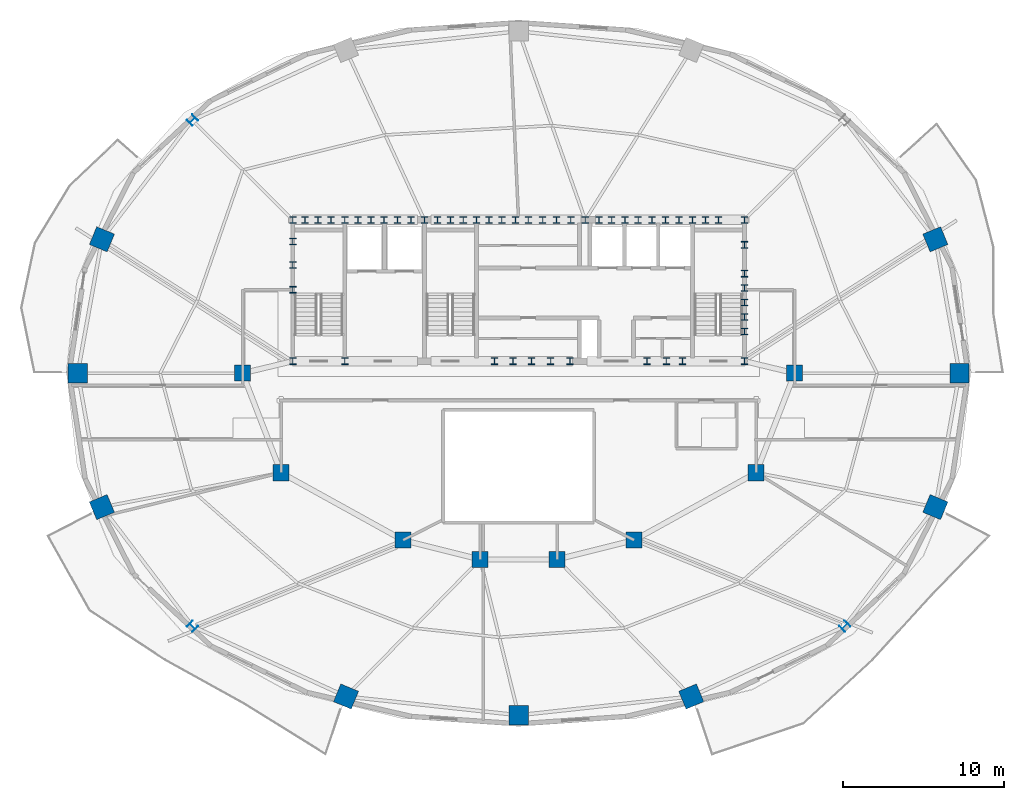
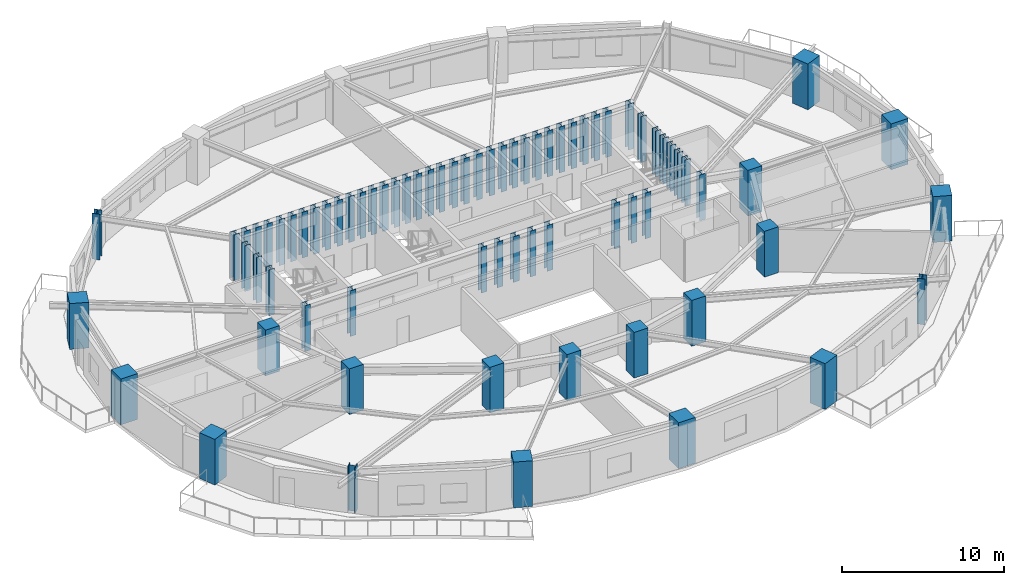
# One storey, part 1 of 11: 74 columns.
"""IFC4 building model written with IfcOpenShell, lengths in metres."""

from ifc_helpers import new_model, si_unit, direction, frame, origin, origin_2d, place, context, subcontext, project, spatial, rectangle, i_section, extrude, material, material_profile, profile_set, type_object, element, save


model = new_model("IFC4")

# Units and contexts
model_context = context("Model", 3, precision=1e-05, world=origin(), true_north=direction((0.0, 1.0)))
body_context = subcontext(model_context, "Body", "Model", "MODEL_VIEW")
ifc_project = project(units=[si_unit("LENGTHUNIT", "METRE"), si_unit("AREAUNIT", "SQUARE_METRE"), si_unit("VOLUMEUNIT", "CUBIC_METRE"), si_unit("PLANEANGLEUNIT", "RADIAN"), si_unit("MASSUNIT", "GRAM", prefix="KILO")], contexts=[model_context])

# Site, building, storey
site_placement = place(None, origin())
site = spatial("IfcSite", under=ifc_project, at=site_placement, CompositionType="ELEMENT")
building_placement = place(site_placement, origin())
building = spatial("IfcBuilding", under=site, at=building_placement, Name="Haldorwick Loom Tower", CompositionType="ELEMENT")
storey_placement = place(building_placement, frame((0.0, 0.0, 215.199951171875)))
storey = spatial("IfcBuildingStorey", under=building, at=storey_placement, Name="L58", CompositionType="ELEMENT", Elevation=215.199951171875)

# Columns
ifc_material_1 = material(Name="Concrete C60 (60 MPa)", Category="concrete")
ifc_material_profile_1 = material_profile(ifc_material_1, rectangle(XDim=1.0, YDim=1.0, at=origin_2d()), Name="RC1000X1000", Category="concrete")
ifc_profile_set_1 = profile_set([ifc_material_profile_1], Name="Concrete C60 (60 MPa)")
column_type_1 = type_object("IfcColumnType", Name="STR-COL-RC1000", PredefinedType="COLUMN", material=ifc_profile_set_1)
for number, where, z_axis, x_axis, name in (
    (1, (53.199951171875, 26.0, 0.0), (0.0, 0.0, 1.0), (1.0, 0.0, 0.0), "L58 Inner Column IC-01"),
    (2, (50.800048828125, 19.800048828125, 0.0), (0.0, 0.0, 1.0), (1.0, 0.0, 0.0), "L58 Inner Column IC-02"),
    (3, (43.199951171875, 15.60009765625, 0.0), (0.0, 0.0, 1.0), (1.0, 0.0, 0.0), "L58 Inner Column IC-03"),
    (4, (38.39990234375, 14.39990234375, 0.0), (0.0, 0.0, 1.0), (1.0, 0.0, 0.0), "L58 Inner Column IC-04"),
    (5, (33.60009765625, 14.39990234375, 0.0), (0.0, 0.0, 1.0), (1.0, 0.0, 0.0), "L58 Inner Column IC-05"),
    (6, (28.800048828125, 15.60009765625, 0.0), (0.0, 0.0, 1.0), (1.0, 0.0, 0.0), "L58 Inner Column IC-06"),
    (7, (21.199951171875, 19.800048828125, 0.0), (0.0, 0.0, 1.0), (1.0, 0.0, 0.0), "L58 Inner Column IC-07"),
    (8, (18.800048828125, 26.0, 0.0), (0.0, 0.0, 1.0), (1.0, 0.0, 0.0), "L58 Inner Column IC-08"),
):
    element("IfcColumn", number, at=place(storey_placement, frame(where, z_axis=z_axis, x_axis=x_axis)), inside=storey, type_object=column_type_1, Name=name, PredefinedType="COLUMN", context=body_context, shape_type="SweptSolid", body=[
        extrude(rectangle(XDim=1.0, YDim=1.0, at=origin_2d()), origin(), (0.0, 0.0, 1.0), 3.449951171875),
    ])
ifc_material_profile_2 = material_profile(ifc_material_1, rectangle(XDim=1.199951171875, YDim=1.199951171875, at=origin_2d()), Name="RC1200X1200", Category="concrete")
ifc_profile_set_2 = profile_set([ifc_material_profile_2], Name="Concrete C60 (60 MPa)")
column_type_2 = type_object("IfcColumnType", Name="STR-COL-RC1200", PredefinedType="COLUMN", material=ifc_profile_set_2)
for number, where, z_axis, x_axis, name in (
    (9, (63.46630859375, 26.0, 0.0), (0.0, 0.0, 1.0), (1.0, 0.0, 0.0), "L58 Perimeter Pier Column P01"),
    (10, (61.9609375, 34.342529296875, 0.0), (0.0, 0.0, 1.0), (0.923879532511, 0.382683432365, 0.0), "L58 Perimeter Pier Column P02"),
    (11, (10.0390625, 34.342529296875, 0.0), (0.0, 0.0, 1.0), (-0.923879532511, 0.382683432365, 0.0), "L58 Perimeter Pier Column P08"),
    (12, (8.53369140625, 26.0, 0.0), (0.0, 0.0, 1.0), (-1.0, 0.0, 0.0), "L58 Perimeter Pier Column P09"),
    (13, (10.0390625, 17.657470703125, 0.0), (0.0, 0.0, 1.0), (-0.923879532511, -0.382683432365, 0.0), "L58 Perimeter Pier Column P10"),
    (14, (25.24658203125, 5.859375, 0.0), (0.0, 0.0, 1.0), (-0.382683432365, -0.923879532511, 0.0), "L58 Perimeter Pier Column P12"),
    (15, (36.0, 4.695068359375, 0.0), (0.0, 0.0, 1.0), (0.0, -1.0, 0.0), "L58 Perimeter Pier Column P13"),
    (16, (46.75341796875, 5.859375, 0.0), (0.0, 0.0, 1.0), (0.382683432365, -0.923879532511, 0.0), "L58 Perimeter Pier Column P14"),
    (17, (61.9609375, 17.657470703125, 0.0), (0.0, 0.0, 1.0), (0.923879532511, -0.382683432365, 0.0), "L58 Perimeter Pier Column P16"),
):
    element("IfcColumn", number, at=place(storey_placement, frame(where, z_axis=z_axis, x_axis=x_axis)), inside=storey, type_object=column_type_2, Name=name, PredefinedType="COLUMN", context=body_context, shape_type="SweptSolid", body=[
        extrude(rectangle(XDim=1.199951171875, YDim=1.199951171875, at=origin_2d()), origin(), (0.0, 0.0, 1.0), 3.449951171875),
    ])
ifc_material_2 = material(Name="Steel CSA G40.21 350W", Category="steel")
ifc_material_profile_3 = material_profile(ifc_material_2, i_section(OverallWidth=0.406005859375, OverallDepth=0.416015625, WebThickness=0.024169921875, FlangeThickness=0.03857421875, at=origin_2d()), Name="W360X382", Category="steel")
ifc_profile_set_3 = profile_set([ifc_material_profile_3], Name="Steel CSA G40.21 350W")
column_type_3 = type_object("IfcColumnType", Name="STR-COL-W360X382", PredefinedType="COLUMN", material=ifc_profile_set_3)
for number, where, z_axis, x_axis, name in (
    (18, (21.929931640625, 35.550048828125, 0.0), (0.0, 0.0, 1.0), (1.0, 0.0, 0.0), "L58 Core Pilaster CB-01"),
    (19, (23.5, 35.550048828125, 0.0), (0.0, 0.0, 1.0), (1.0, 0.0, 0.0), "L58 Core Pilaster CB-02"),
    (20, (25.169921875, 35.550048828125, 0.0), (0.0, 0.0, 1.0), (1.0, 0.0, 0.0), "L58 Core Pilaster CB-03"),
    (21, (26.800048828125, 35.550048828125, 0.0), (0.0, 0.0, 1.0), (1.0, 0.0, 0.0), "L58 Core Pilaster CB-04"),
    (22, (28.449951171875, 35.550048828125, 0.0), (0.0, 0.0, 1.0), (1.0, 0.0, 0.0), "L58 Core Pilaster CB-05"),
    (23, (30.1298828125, 35.550048828125, 0.0), (0.0, 0.0, 1.0), (1.0, 0.0, 0.0), "L58 Core Pilaster CB-06"),
    (24, (31.75, 35.550048828125, 0.0), (0.0, 0.0, 1.0), (1.0, 0.0, 0.0), "L58 Core Pilaster CB-07"),
    (25, (33.3701171875, 35.550048828125, 0.0), (0.0, 0.0, 1.0), (1.0, 0.0, 0.0), "L58 Core Pilaster CB-08"),
    (26, (34.949951171875, 35.550048828125, 0.0), (0.0, 0.0, 1.0), (1.0, 0.0, 0.0), "L58 Core Pilaster CB-09"),
    (27, (36.60009765625, 35.550048828125, 0.0), (0.0, 0.0, 1.0), (1.0, 0.0, 0.0), "L58 Core Pilaster CB-10"),
    (28, (38.35009765625, 35.550048828125, 0.0), (0.0, 0.0, 1.0), (1.0, 0.0, 0.0), "L58 Core Pilaster CB-11"),
    (29, (40.14990234375, 35.550048828125, 0.0), (0.0, 0.0, 1.0), (1.0, 0.0, 0.0), "L58 Core Pilaster CB-12"),
    (30, (41.800048828125, 35.550048828125, 0.0), (0.0, 0.0, 1.0), (1.0, 0.0, 0.0), "L58 Core Pilaster CB-13"),
    (31, (43.449951171875, 35.550048828125, 0.0), (0.0, 0.0, 1.0), (1.0, 0.0, 0.0), "L58 Core Pilaster CB-14"),
    (32, (45.14990234375, 35.550048828125, 0.0), (0.0, 0.0, 1.0), (1.0, 0.0, 0.0), "L58 Core Pilaster CB-15"),
    (33, (46.830078125, 35.550048828125, 0.0), (0.0, 0.0, 1.0), (1.0, 0.0, 0.0), "L58 Core Pilaster CB-16"),
    (34, (48.449951171875, 35.550048828125, 0.0), (0.0, 0.0, 1.0), (1.0, 0.0, 0.0), "L58 Core Pilaster CB-17"),
    (35, (50.070068359375, 35.550048828125, 0.0), (0.0, 0.0, 1.0), (1.0, 0.0, 0.0), "L58 Core Pilaster CB-18"),
    (36, (21.929931640625, 26.75, 0.0), (0.0, 0.0, 1.0), (1.0, 0.0, 0.0), "L58 Core Pilaster CB-19"),
    (37, (25.169921875, 26.75, 0.0), (0.0, 0.0, 1.0), (1.0, 0.0, 0.0), "L58 Core Pilaster CB-20"),
    (38, (34.5, 26.75, 0.0), (0.0, 0.0, 1.0), (1.0, 0.0, 0.0), "L58 Core Pilaster CB-21"),
    (39, (36.800048828125, 26.75, 0.0), (0.0, 0.0, 1.0), (1.0, 0.0, 0.0), "L58 Core Pilaster CB-22"),
    (40, (39.199951171875, 26.75, 0.0), (0.0, 0.0, 1.0), (1.0, 0.0, 0.0), "L58 Core Pilaster CB-23"),
    (41, (45.199951171875, 26.75, 0.0), (0.0, 0.0, 1.0), (1.0, 0.0, 0.0), "L58 Core Pilaster CB-24"),
    (42, (50.070068359375, 26.75, 0.0), (0.0, 0.0, 1.0), (1.0, 0.0, 0.0), "L58 Core Pilaster CB-25"),
    (43, (21.929931640625, 31.199951171875, 0.0), (0.0, 0.0, 1.0), (1.0, 0.0, 0.0), "L58 Core Pilaster CB-26"),
    (44, (21.929931640625, 32.75, 0.0), (0.0, 0.0, 1.0), (1.0, 0.0, 0.0), "L58 Core Pilaster CB-27"),
    (45, (21.929931640625, 34.199951171875, 0.0), (0.0, 0.0, 1.0), (1.0, 0.0, 0.0), "L58 Core Pilaster CB-28"),
    (46, (50.070068359375, 28.60009765625, 0.0), (0.0, 0.0, 1.0), (1.0, 0.0, 0.0), "L58 Core Pilaster CB-29"),
    (47, (50.070068359375, 30.39990234375, 0.0), (0.0, 0.0, 1.0), (1.0, 0.0, 0.0), "L58 Core Pilaster CB-30"),
    (48, (50.070068359375, 32.199951171875, 0.0), (0.0, 0.0, 1.0), (1.0, 0.0, 0.0), "L58 Core Pilaster CB-31"),
    (49, (50.070068359375, 34.0, 0.0), (0.0, 0.0, 1.0), (1.0, 0.0, 0.0), "L58 Core Pilaster CB-32"),
    (50, (22.699951171875, 35.550048828125, 0.0), (0.0, 0.0, 1.0), (1.0, 0.0, 0.0), "L58 Core Pilaster CB-33"),
    (51, (27.6201171875, 35.550048828125, 0.0), (0.0, 0.0, 1.0), (1.0, 0.0, 0.0), "L58 Core Pilaster CB-34"),
    (52, (32.550048828125, 35.550048828125, 0.0), (0.0, 0.0, 1.0), (1.0, 0.0, 0.0), "L58 Core Pilaster CB-35"),
    (53, (37.5, 35.550048828125, 0.0), (0.0, 0.0, 1.0), (1.0, 0.0, 0.0), "L58 Core Pilaster CB-36"),
    (54, (42.6201171875, 35.550048828125, 0.0), (0.0, 0.0, 1.0), (1.0, 0.0, 0.0), "L58 Core Pilaster CB-37"),
    (55, (47.64990234375, 35.550048828125, 0.0), (0.0, 0.0, 1.0), (1.0, 0.0, 0.0), "L58 Core Pilaster CB-38"),
    (56, (24.300048828125, 35.550048828125, 0.0), (0.0, 0.0, 1.0), (1.0, 0.0, 0.0), "L58 Core Pilaster CB-39"),
    (57, (26.0, 35.550048828125, 0.0), (0.0, 0.0, 1.0), (1.0, 0.0, 0.0), "L58 Core Pilaster CB-40"),
    (58, (29.300048828125, 35.550048828125, 0.0), (0.0, 0.0, 1.0), (1.0, 0.0, 0.0), "L58 Core Pilaster CB-41"),
    (59, (30.949951171875, 35.550048828125, 0.0), (0.0, 0.0, 1.0), (1.0, 0.0, 0.0), "L58 Core Pilaster CB-42"),
    (60, (34.14990234375, 35.550048828125, 0.0), (0.0, 0.0, 1.0), (1.0, 0.0, 0.0), "L58 Core Pilaster CB-43"),
    (61, (35.800048828125, 35.550048828125, 0.0), (0.0, 0.0, 1.0), (1.0, 0.0, 0.0), "L58 Core Pilaster CB-44"),
    (62, (39.25, 35.550048828125, 0.0), (0.0, 0.0, 1.0), (1.0, 0.0, 0.0), "L58 Core Pilaster CB-45"),
    (63, (41.0, 35.550048828125, 0.0), (0.0, 0.0, 1.0), (1.0, 0.0, 0.0), "L58 Core Pilaster CB-46"),
    (64, (44.300048828125, 35.550048828125, 0.0), (0.0, 0.0, 1.0), (1.0, 0.0, 0.0), "L58 Core Pilaster CB-47"),
    (65, (46.0, 35.550048828125, 0.0), (0.0, 0.0, 1.0), (1.0, 0.0, 0.0), "L58 Core Pilaster CB-48"),
    (66, (50.070068359375, 29.5, 0.0), (0.0, 0.0, 1.0), (1.0, 0.0, 0.0), "L58 Core Pilaster CB-49"),
    (67, (50.070068359375, 31.300048828125, 0.0), (0.0, 0.0, 1.0), (1.0, 0.0, 0.0), "L58 Core Pilaster CB-50"),
    (68, (35.64990234375, 26.75, 0.0), (0.0, 0.0, 1.0), (1.0, 0.0, 0.0), "L58 Core Pilaster CB-51"),
    (69, (38.0, 26.75, 0.0), (0.0, 0.0, 1.0), (1.0, 0.0, 0.0), "L58 Core Pilaster CB-52"),
    (70, (44.0, 26.75, 0.0), (0.0, 0.0, 1.0), (1.0, 0.0, 0.0), "L58 Core Pilaster CB-53"),
    (71, (46.199951171875, 26.75, 0.0), (0.0, 0.0, 1.0), (1.0, 0.0, 0.0), "L58 Core Pilaster CB-54"),
):
    element("IfcColumn", number, at=place(storey_placement, frame(where, z_axis=z_axis, x_axis=x_axis)), inside=storey, type_object=column_type_3, Name=name, PredefinedType="COLUMN", context=body_context, shape_type="SweptSolid", body=[
        extrude(i_section(OverallWidth=0.406005859375, OverallDepth=0.416015625, WebThickness=0.024169921875, FlangeThickness=0.03857421875, at=origin_2d()), origin(), (0.0, 0.0, 1.0), 3.449951171875),
    ])
ifc_material_3 = material(Name="Steel CSA G40.21 350WT", Category="steel")
ifc_material_profile_4 = material_profile(ifc_material_3, i_section(OverallWidth=0.5, OverallDepth=0.5, WebThickness=0.02197265625, FlangeThickness=0.031982421875, at=origin_2d()), Name="WWF500X500", Category="steel")
ifc_profile_set_4 = profile_set([ifc_material_profile_4], Name="Steel CSA G40.21 350WT")
column_type_4 = type_object("IfcColumnType", Name="STR-COL-WWF500", PredefinedType="COLUMN", material=ifc_profile_set_4)
for number, where, z_axis, x_axis, name in (
    (72, (15.682373046875, 41.764892578125, 0.0), (0.0, 0.0, 1.0), (-0.707106781187, 0.707106781187, 0.0), "L58 Perimeter Pier Column P07"),
    (73, (15.682373046875, 10.235107421875, 0.0), (0.0, 0.0, 1.0), (-0.707106781187, -0.707106781187, 0.0), "L58 Perimeter Pier Column P11"),
    (74, (56.317626953125, 10.235107421875, 0.0), (0.0, 0.0, 1.0), (0.707106781187, -0.707106781187, 0.0), "L58 Perimeter Pier Column P15"),
):
    element("IfcColumn", number, at=place(storey_placement, frame(where, z_axis=z_axis, x_axis=x_axis)), inside=storey, type_object=column_type_4, Name=name, PredefinedType="COLUMN", context=body_context, shape_type="SweptSolid", body=[
        extrude(i_section(OverallWidth=0.5, OverallDepth=0.5, WebThickness=0.02197265625, FlangeThickness=0.031982421875, at=origin_2d()), origin(), (0.0, 0.0, 1.0), 3.449951171875),
    ])

save(model, "model.ifc")
